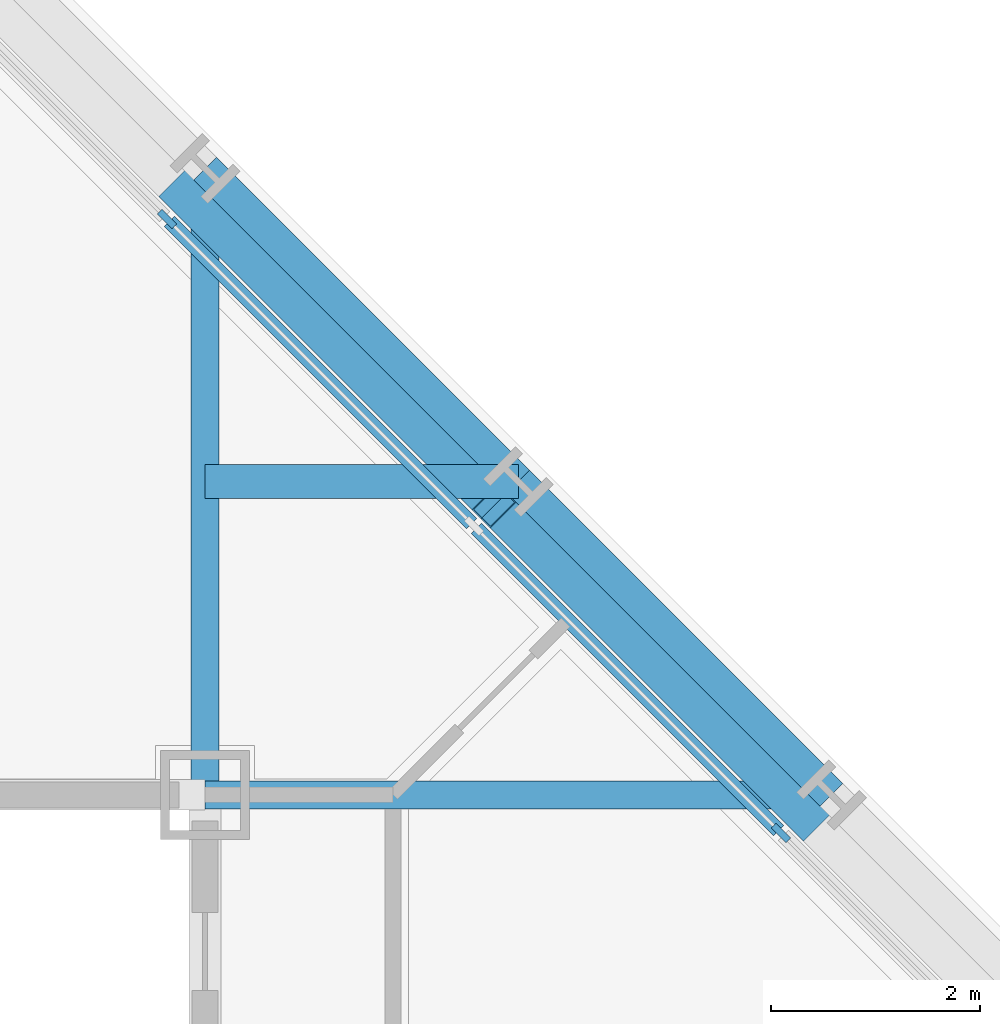
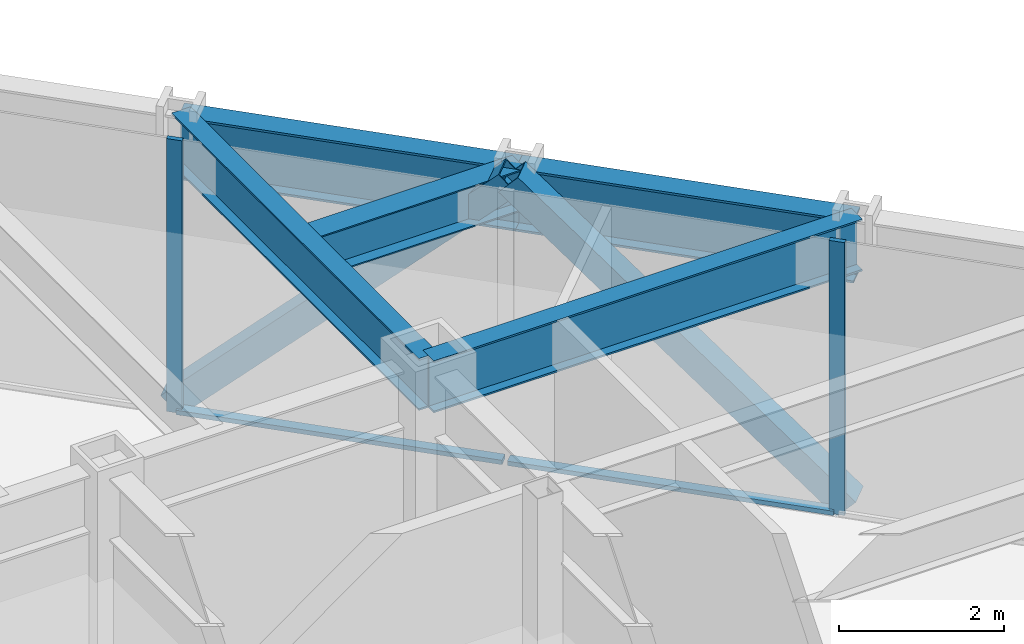
# One storey, part 9 of 16: 6 members, 5 beams, 1 element without a shape of its own.
"""IFC4 building model written with IfcOpenShell, lengths in metres."""

from ifc_helpers import new_model, si_unit, direction, frame, origin, origin_2d, place, context, subcontext, project, spatial, rectangle, hollow_rectangle, i_section, extrude, material, layer, layer_set, material_profile, profile_set, type_object, element, aggregate, save


model = new_model("IFC4")

# Units and contexts
model_context = context("Model", 3, precision=1e-05, world=origin(), true_north=direction((0.0, 1.0)))
body_context = subcontext(model_context, "Body", "Model", "MODEL_VIEW")
ifc_project = project(units=[si_unit("LENGTHUNIT", "METRE"), si_unit("AREAUNIT", "SQUARE_METRE"), si_unit("VOLUMEUNIT", "CUBIC_METRE"), si_unit("PLANEANGLEUNIT", "RADIAN"), si_unit("MASSUNIT", "GRAM", prefix="KILO")], contexts=[model_context])

# Site, building, storey
site_placement = place(None, origin())
site = spatial("IfcSite", under=ifc_project, at=site_placement, CompositionType="ELEMENT")
building_placement = place(site_placement, origin())
building = spatial("IfcBuilding", under=site, at=building_placement, Name="Chuquiago Exchange Tower", CompositionType="ELEMENT")
storey_placement = place(building_placement, frame((0.0, 0.0, 213.89990234375)))
storey = spatial("IfcBuildingStorey", under=building, at=storey_placement, Name="L47", CompositionType="ELEMENT", Elevation=213.89990234375)

# Beam
ifc_material_1 = material(Name="Steel ASTM A992", Category="steel")
ifc_material_profile_1 = material_profile(ifc_material_1, i_section(OverallWidth=0.3251953125, OverallDepth=0.612060546875, WebThickness=0.0126953125, FlangeThickness=0.01904296875, at=origin_2d()), Name="W24X104")
ifc_profile_set_1 = profile_set([ifc_material_profile_1], Name="Steel ASTM A992")
beam_type_1 = type_object("IfcBeamType", Name="B2 W24X104", PredefinedType="BEAM", material=ifc_profile_set_1)
beam_placement = place(storey_placement, frame((33.0, 36.0, 3.73388671875), z_axis=(1.0, 0.0, 0.0), x_axis=(0.0, 1.0, 0.0)))
element("IfcBeam", 1, at=beam_placement, inside=storey, type_object=beam_type_1, Name="FB-L48-corner-33_36-36_36-0", PredefinedType="BEAM", context=body_context, shape_type="SweptSolid", body=[
    extrude(i_section(OverallWidth=0.3251953125, OverallDepth=0.612060546875, WebThickness=0.0126953125, FlangeThickness=0.01904296875, at=origin_2d()), origin(), (0.0, 0.0, 1.0), 3.0),
])

# Curtain wall, members
ifc_material_2 = material(Name="Aluminium curtain wall system", Category="aluminium")
ifc_layer = layer(ifc_material_2, 0.199951171875)
ifc_layer_set = layer_set([ifc_layer], Name="CW3 facet curtain wall")
curtain_wall_type = type_object("IfcCurtainWallType", Name="CW3 facet curtain wall", PredefinedType="NOTDEFINED", material=ifc_layer_set)
curtain_wall_placement = place(storey_placement, origin())
curtain_wall = element("IfcCurtainWall", 2, at=curtain_wall_placement, inside=storey, type_object=curtain_wall_type, Name="CW3 curtain wall L47", PredefinedType="NOTDEFINED")
ifc_material_3 = material(Name="Aluminium mullion, pale anodised", Category="aluminium")
ifc_material_profile_2 = material_profile(ifc_material_3, rectangle(XDim=0.06494140625, YDim=0.199951171875, at=origin_2d()), Name="AL 65x200")
ifc_profile_set_2 = profile_set([ifc_material_profile_2], Name="Aluminium mullion, pale anodised")
member_type_1 = type_object("IfcMemberType", Name="CW3-M mullion 65x200", PredefinedType="MULLION", material=ifc_profile_set_2)
member_1_placement = place(storey_placement, frame((38.51708984375, 32.63427734375, 0.0), z_axis=(0.0, 0.0, 1.0), x_axis=(-0.707106781187, -0.707106781187, 0.0)))
member_1 = element("IfcMember", 3, at=member_1_placement, type_object=member_type_1, Name="CW3 mullion 3", PredefinedType="MULLION", context=body_context, shape_type="SweptSolid", body=[
    extrude(rectangle(XDim=0.06494140625, YDim=0.199951171875, at=origin_2d()), origin(), (0.0, 0.0, 1.0), 4.0400390625),
])
member_2_placement = place(storey_placement, frame((32.63427734375, 38.51708984375, 0.0), z_axis=(0.0, 0.0, 1.0), x_axis=(-0.707106781187, -0.707106781187, 0.0)))
member_2 = element("IfcMember", 4, at=member_2_placement, type_object=member_type_1, Name="CW3 mullion 5", PredefinedType="MULLION", context=body_context, shape_type="SweptSolid", body=[
    extrude(rectangle(XDim=0.06494140625, YDim=0.199951171875, at=origin_2d()), origin(), (0.0, 0.0, 1.0), 4.0400390625),
])
ifc_material_4 = material(Name="Aluminium transom, pale anodised", Category="aluminium")
ifc_material_profile_3 = material_profile(ifc_material_4, rectangle(XDim=0.139892578125, YDim=0.06494140625, at=origin_2d()), Name="AL 140x65")
ifc_profile_set_3 = profile_set([ifc_material_profile_3], Name="Aluminium transom, pale anodised")
member_type_2 = type_object("IfcMemberType", Name="CW3-T transom 65x140", PredefinedType="MULLION", material=ifc_profile_set_3)
member_3_placement = place(storey_placement, frame((38.494140625, 32.6572265625, 0.03271484375), z_axis=(-0.707106781187, 0.707106781187, 0.0), x_axis=(-0.707106781187, -0.707106781187, 0.0)))
member_3 = element("IfcMember", 5, at=member_3_placement, type_object=member_type_2, Name="CW3 transom 3.1", PredefinedType="MULLION", context=body_context, shape_type="SweptSolid", body=[
    extrude(rectangle(XDim=0.139892578125, YDim=0.06494140625, at=origin_2d()), origin(), (0.0, 0.0, 1.0), 4.094970703125),
])
member_4_placement = place(storey_placement, frame((35.552734375, 35.5986328125, 0.03271484375), z_axis=(-0.707106781187, 0.707106781187, 0.0), x_axis=(-0.707106781187, -0.707106781187, 0.0)))
member_4 = element("IfcMember", 6, at=member_4_placement, type_object=member_type_2, Name="CW3 transom 4.1", PredefinedType="MULLION", context=body_context, shape_type="SweptSolid", body=[
    extrude(rectangle(XDim=0.139892578125, YDim=0.06494140625, at=origin_2d()), origin(), (0.0, 0.0, 1.0), 4.094970703125),
])
aggregate(curtain_wall, [member_1, member_2, member_3, member_4])

# Beams
ifc_material_5 = material(Name="Steel ASTM A992", Category="steel")
ifc_material_profile_4 = material_profile(ifc_material_5, i_section(OverallWidth=0.2666015625, OverallDepth=0.76953125, WebThickness=0.015625, FlangeThickness=0.025390625, at=origin_2d()), Name="W30X132")
ifc_profile_set_4 = profile_set([ifc_material_profile_4], Name="Steel ASTM A992")
beam_type_2 = type_object("IfcBeamType", Name="G1 W30X132", PredefinedType="BEAM", material=ifc_profile_set_4)
for number, where, z_axis, x_axis, name in (
    (7, (33.0, 33.0, 3.6552734375), (0.0, 1.0, 0.0), (-1.0, 0.0, 0.0), "FB-L48-girder-33_33-33_39-0"),
    (8, (33.0, 33.0, 3.6552734375), (1.0, 0.0, 0.0), (0.0, 1.0, 0.0), "FB-L48-girder-33_33-39_33-0"),
):
    element("IfcBeam", number, at=place(storey_placement, frame(where, z_axis=z_axis, x_axis=x_axis)), inside=storey, type_object=beam_type_2, Name=name, PredefinedType="BEAM", context=body_context, shape_type="SweptSolid", body=[
        extrude(i_section(OverallWidth=0.2666015625, OverallDepth=0.76953125, WebThickness=0.015625, FlangeThickness=0.025390625, at=origin_2d()), origin(), (0.0, 0.0, 1.0), 6.0),
    ])

# Members
ifc_material_6 = material(Name="Steel ASTM A500 Grade C", Category="steel")
ifc_material_profile_5 = material_profile(ifc_material_6, hollow_rectangle(XDim=0.355712890625, YDim=0.355712890625, WallThickness=0.0146484375, at=origin_2d()), Name="HSS14X14X5/8")
ifc_profile_set_5 = profile_set([ifc_material_profile_5], Name="Steel ASTM A500 Grade C")
member_type_3 = type_object("IfcMemberType", Name="LB2 HSS14X14X5/8", PredefinedType="BRACE", material=ifc_profile_set_5)
for number, where, z_axis, x_axis, name in (
    (9, (38.7685546875, 32.7685546875, 0.0), (-0.512077265487, 0.512077265487, 0.689604051861), (-0.707106781187, -0.707106781187, 0.0), "LB-L47-39_33-36_36"),
    (10, (32.7685546875, 38.7685546875, 0.0), (0.512077265487, -0.512077265487, 0.689604051861), (0.707106781187, 0.707106781187, 0.0), "LB-L47-36_36-33_39"),
):
    element("IfcMember", number, at=place(storey_placement, frame(where, z_axis=z_axis, x_axis=x_axis)), inside=storey, type_object=member_type_3, Name=name, PredefinedType="BRACE", context=body_context, shape_type="SweptSolid", body=[
        extrude(hollow_rectangle(XDim=0.355712890625, YDim=0.355712890625, WallThickness=0.0146484375, at=origin_2d()), origin(), (0.0, 0.0, 1.0), 5.8583984375),
    ])

# Beams
ifc_material_7 = material(Name="Steel ASTM A992", Category="steel")
ifc_material_profile_6 = material_profile(ifc_material_7, i_section(OverallWidth=0.307373046875, OverallDepth=0.927001953125, WebThickness=0.01953125, FlangeThickness=0.031982421875, at=origin_2d()), Name="W36X194")
ifc_profile_set_6 = profile_set([ifc_material_profile_6], Name="Steel ASTM A992")
beam_type_3 = type_object("IfcBeamType", Name="SP3 W36X194", PredefinedType="SPANDREL", material=ifc_profile_set_6)
for number, where, z_axis, x_axis, name in (
    (11, (39.0, 33.0, 3.576416015625), (-0.707106781187, 0.707106781187, 0.0), (-0.707106781187, -0.707106781187, 0.0), "SPB-L48-39_33-36_36"),
    (12, (36.0, 36.0, 3.576416015625), (-0.707106781187, 0.707106781187, 0.0), (-0.707106781187, -0.707106781187, 0.0), "SPB-L48-36_36-33_39"),
):
    element("IfcBeam", number, at=place(storey_placement, frame(where, z_axis=z_axis, x_axis=x_axis)), inside=storey, type_object=beam_type_3, Name=name, PredefinedType="SPANDREL", context=body_context, shape_type="SweptSolid", body=[
        extrude(i_section(OverallWidth=0.307373046875, OverallDepth=0.927001953125, WebThickness=0.01953125, FlangeThickness=0.031982421875, at=origin_2d()), origin(), (0.0, 0.0, 1.0), 4.24267578125),
    ])

save(model, "model.ifc")
